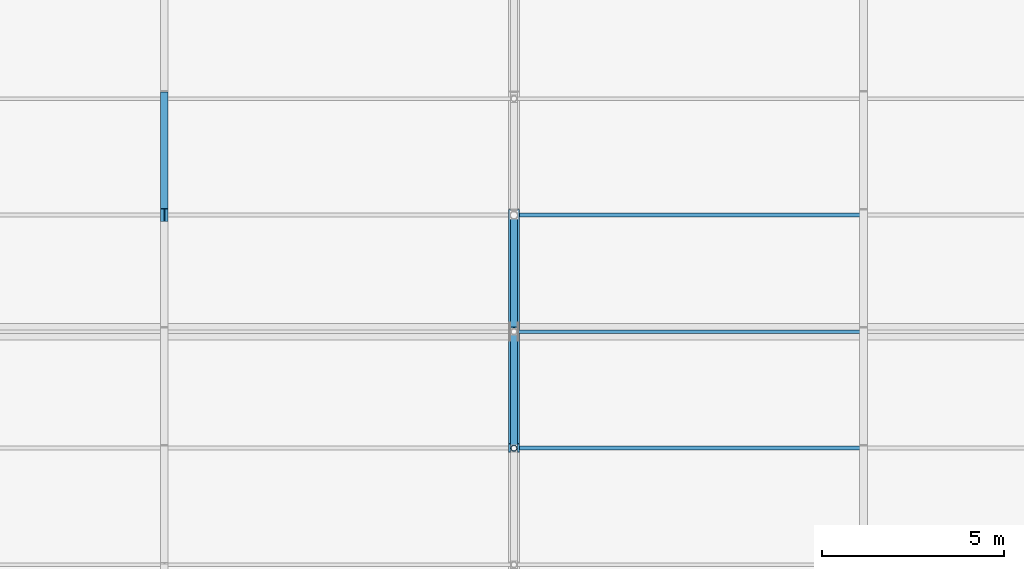
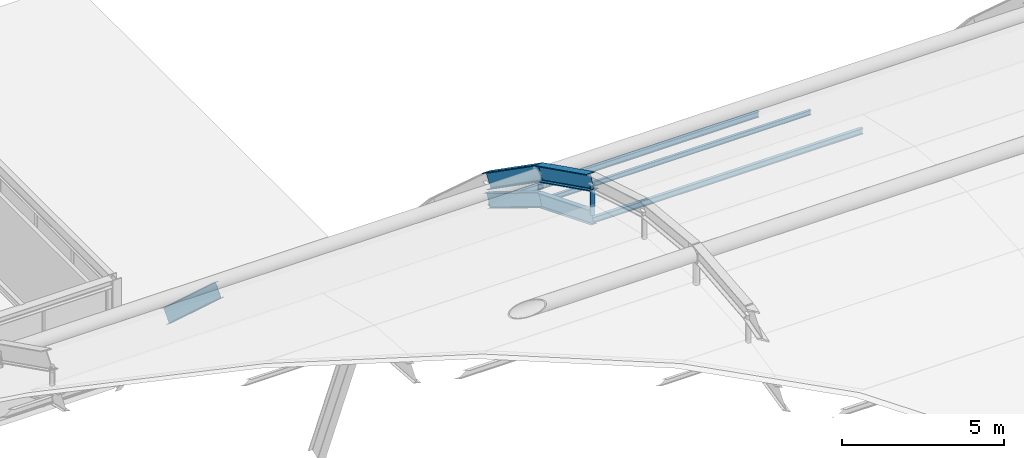
# One storey, part 86 of 126: 5 beams, 4 members.
"""IFC4 building model written with IfcOpenShell, lengths in metres."""

import ifcopenshell
import ifcopenshell.guid

model = None  # the IFC model being written
_history = None  # IfcOwnerHistory: only IFC2X3 demands one
_inside = {}  # id of a spatial element -> (the spatial element, [elements in it])
_under = {}  # id of a project, library or spatial element -> (it, [spatial elements below it])
_declared = {}  # id of a project -> (the project, [libraries it declares])
_typed = {}  # id of a type object -> (the type object, [elements of that type])
_made_of = {}  # id of a material, layer set ... -> (it, [elements and type objects made of it])


def new_model(schema):
    """Start an empty IFC model of exactly this schema.

    Asked for "IFC4X3", IfcOpenShell would pick the latest addendum, in which some entities
    have other attributes; the version numbers below select the first issue.
    IFC2X3 requires an IfcOwnerHistory on every rooted entity: one is made here for all.
    """
    global model, _history
    if schema == "IFC4X3":
        model = ifcopenshell.file(schema_version=(4, 3, 0, 0))
    else:
        model = ifcopenshell.file(schema=schema)
    _inside.clear()
    _under.clear()
    _declared.clear()
    _typed.clear()
    _made_of.clear()
    _history = None
    if model.schema == "IFC2X3":
        org = make("IfcOrganization", Name="unknown")
        user = make(
            "IfcPersonAndOrganization",
            ThePerson=make("IfcPerson", FamilyName="unknown"),
            TheOrganization=org,
        )
        app = make(
            "IfcApplication",
            ApplicationDeveloper=org,
            Version="unknown",
            ApplicationFullName="unknown",
            ApplicationIdentifier="unknown",
        )
        _history = make(
            "IfcOwnerHistory",
            OwningUser=user,
            OwningApplication=app,
            ChangeAction="ADDED",
            CreationDate=0,
        )
    return model


def make(cls, **values):
    """One entity of the class cls with the attributes given. An attribute that is None is left unset."""
    return model.create_entity(
        cls, **{name: value for name, value in values.items() if value is not None}
    )


def rooted(cls, **values):
    """An entity with a GlobalId (a new one), such as an element, a storey or a relation."""
    return make(cls, GlobalId=ifcopenshell.guid.new(), OwnerHistory=_history, **values)


def si_unit(unit_type, name, prefix=None):
    """IfcSIUnit, for example si_unit("LENGTHUNIT", "METRE", prefix="MILLI")."""
    return make("IfcSIUnit", UnitType=unit_type, Prefix=prefix, Name=name)


def assignment(units):
    """IfcUnitAssignment: the units of a project."""
    return None if units is None else make("IfcUnitAssignment", Units=units)


def point(xyz):
    """IfcCartesianPoint."""
    return None if xyz is None else make("IfcCartesianPoint", Coordinates=xyz)


def direction(xyz):
    """IfcDirection."""
    return None if xyz is None else make("IfcDirection", DirectionRatios=xyz)


def frame(location, z_axis=None, x_axis=None):
    """IfcAxis2Placement3D, a coordinate frame: its origin and axes. An axis left out is left unset."""
    return make(
        "IfcAxis2Placement3D",
        Location=point(location),
        Axis=direction(z_axis),
        RefDirection=direction(x_axis),
    )


def frame_2d(location, x_axis=None):
    """IfcAxis2Placement2D, a coordinate frame in the plane: its origin and x axis."""
    return make(
        "IfcAxis2Placement2D", Location=point(location), RefDirection=direction(x_axis)
    )


def origin():
    """The frame at (0, 0, 0) with its axes left unset."""
    return frame((0.0, 0.0, 0.0))


def origin_2d():
    """The frame at (0, 0) in the plane with its x axis left unset."""
    return frame_2d((0.0, 0.0))


def place(relative_to, where):
    """IfcLocalPlacement: puts the frame where relative to a parent placement (None: the world)."""
    return make(
        "IfcLocalPlacement", PlacementRelTo=relative_to, RelativePlacement=where
    )


def context(
    kind, dimensions, precision=None, world=None, true_north=None, identifier=None
):
    """IfcGeometricRepresentationContext, for example the 3D "Model" context."""
    return make(
        "IfcGeometricRepresentationContext",
        ContextIdentifier=identifier,
        ContextType=kind,
        CoordinateSpaceDimension=dimensions,
        Precision=precision,
        WorldCoordinateSystem=world,
        TrueNorth=true_north,
    )


def subcontext(parent, identifier, kind, view, scale=None):
    """IfcGeometricRepresentationSubContext, for example "Body" below "Model"."""
    return make(
        "IfcGeometricRepresentationSubContext",
        ContextIdentifier=identifier,
        ContextType=kind,
        ParentContext=parent,
        TargetScale=scale,
        TargetView=view,
    )


def project(units=None, contexts=None):
    """IfcProject with its units and contexts."""
    return rooted(
        "IfcProject",
        Name="project",
        RepresentationContexts=contexts,
        UnitsInContext=assignment(units),
    )


def spatial(cls, under=None, at=None, **own):
    """A site, building, storey or space (cls), placed at a placement, below another one or the project."""
    s = rooted(cls, ObjectPlacement=at, **own)
    if under is not None:
        _under.setdefault(under.id(), (under, []))[1].append(s)
    return s


def profile(cls, at=None, kind="AREA", **sizes):
    """A parametric profile (cls). Its sizes go by their IFC names, for example OverallWidth=200.0."""
    return make(cls, ProfileType=kind, Position=at, **sizes)


def hollow_circle(**sizes):
    """IfcCircleHollowProfileDef."""
    return profile("IfcCircleHollowProfileDef", **sizes)


def i_section(**sizes):
    """IfcIShapeProfileDef."""
    return profile("IfcIShapeProfileDef", **sizes)


def extrude(swept, where, along, depth):
    """IfcExtrudedAreaSolid: the profile swept, set in the frame where, extruded along a direction by depth."""
    return make(
        "IfcExtrudedAreaSolid",
        SweptArea=swept,
        Position=where,
        ExtrudedDirection=direction(along),
        Depth=depth,
    )


def shape(context_of_items, identifier, shape_type, items):
    """IfcShapeRepresentation: the items that make up one representation, for example the "Body"."""
    return make(
        "IfcShapeRepresentation",
        ContextOfItems=context_of_items,
        RepresentationIdentifier=identifier,
        RepresentationType=shape_type,
        Items=items,
    )


def material(Name=None, Category=None):
    """IfcMaterial."""
    return make("IfcMaterial", Name=Name, Category=Category)


def material_profile(
    of_material, cross_section, Name=None, Category=None, Priority=None
):
    """IfcMaterialProfile: a cross section and its material."""
    return make(
        "IfcMaterialProfile",
        Name=Name,
        Material=of_material,
        Profile=cross_section,
        Priority=Priority,
        Category=Category,
    )


def profile_set(profiles, Name=None, composite=None):
    """IfcMaterialProfileSet."""
    return make(
        "IfcMaterialProfileSet",
        Name=Name,
        MaterialProfiles=profiles,
        CompositeProfile=composite,
    )


def made_of(thing, what):
    """Note that an element or type object is made of a material, layer set ...; save() writes the relation."""
    if what is not None:
        _made_of.setdefault(what.id(), (what, []))[1].append(thing)
    return thing


def type_object(cls, material=None, **own):
    """A type object (cls), such as IfcWallType, which elements share."""
    return made_of(rooted(cls, **own), material)


def element(
    cls,
    number,
    at=None,
    inside=None,
    cuts=None,
    type_object=None,
    material=None,
    context=None,
    identifier="Body",
    shape_type=None,
    held_by="IfcProductDefinitionShape",
    body=None,
    shapes=None,
    **own,
):
    """One element of the class cls, such as IfcWall. Its Tag is "e" and its number.

    at: its placement. inside: the storey or other place that contains it. cuts: it is an
    opening in that element (IfcRelVoidsElement). A single representation is given by context,
    identifier, shape_type and body (its items); several are given by shapes. held_by: the class
    of the entity that holds the representations. save() writes the other relations.
    """
    e = rooted(cls, Tag="e%d" % number, ObjectPlacement=at, **own)
    if body is not None:
        shapes = [shape(context, identifier, shape_type, body)]
    if shapes is not None:
        e.Representation = make(held_by, Representations=shapes)
    if inside is not None:
        _inside.setdefault(inside.id(), (inside, []))[1].append(e)
    if cuts is not None:
        rooted(
            "IfcRelVoidsElement", RelatingBuildingElement=cuts, RelatedOpeningElement=e
        )
    if type_object is not None:
        _typed.setdefault(type_object.id(), (type_object, []))[1].append(e)
    return made_of(e, material)


def aggregate(whole, parts):
    """IfcRelAggregates: a whole, such as a stair, and the parts it consists of."""
    return rooted("IfcRelAggregates", RelatingObject=whole, RelatedObjects=parts)


def save(model, path):
    """Write the relations noted so far, then the file.

    IfcRelAggregates (storeys below a building ...), IfcRelContainedInSpatialStructure (elements
    in a storey), IfcRelDefinesByType, IfcRelAssociatesMaterial and IfcRelDeclares: one each for
    every whole, place, type object, material and project.
    """
    for whole, parts in _under.values():
        aggregate(whole, parts)
    for where, things in _inside.values():
        rooted(
            "IfcRelContainedInSpatialStructure",
            RelatedElements=things,
            RelatingStructure=where,
        )
    for kind, things in _typed.values():
        rooted("IfcRelDefinesByType", RelatedObjects=things, RelatingType=kind)
    for what, things in _made_of.values():
        rooted("IfcRelAssociatesMaterial", RelatedObjects=things, RelatingMaterial=what)
    for by, libraries in _declared.values():
        rooted("IfcRelDeclares", RelatingContext=by, RelatedDefinitions=libraries)
    model.write(path)


model = new_model("IFC4")

# Units and contexts
model_context = context("Model", 3, precision=1e-05, world=origin(), true_north=direction((0.0, 1.0)))
body_context = subcontext(model_context, "Body", "Model", "MODEL_VIEW")
ifc_project = project(units=[si_unit("LENGTHUNIT", "METRE"), si_unit("AREAUNIT", "SQUARE_METRE"), si_unit("VOLUMEUNIT", "CUBIC_METRE"), si_unit("PLANEANGLEUNIT", "RADIAN"), si_unit("MASSUNIT", "GRAM", prefix="KILO")], contexts=[model_context])

# Site, building, storey
site_placement = place(None, origin())
site = spatial("IfcSite", under=ifc_project, at=site_placement, CompositionType="ELEMENT")
building_placement = place(site_placement, origin())
building = spatial("IfcBuilding", under=site, at=building_placement, Name="Coralgate Yard Interchange", CompositionType="ELEMENT")
storey_placement = place(building_placement, frame((0.0, 0.0, 10.5)))
storey = spatial("IfcBuildingStorey", under=building, at=storey_placement, Name="L02", CompositionType="ELEMENT", Elevation=10.5)

# Beams
ifc_material_1 = material(Name="Yellow-ochre weather-coated structural steel S355J2", Category="steel")
ifc_material_profile_1 = material_profile(ifc_material_1, i_section(OverallWidth=0.300048828125, OverallDepth=0.550048828125, WebThickness=0.014892578125, FlangeThickness=0.029052734375, FilletRadius=0.027099609375, at=origin_2d()), Name="HEB 550")
ifc_profile_set_1 = profile_set([ifc_material_profile_1], Name="Yellow-ochre weather-coated structural steel S355J2")
beam_type_1 = type_object("IfcBeamType", Name="BM-AR-2", PredefinedType="BEAM", material=ifc_profile_set_1)
beam_1_placement = place(storey_placement, frame((105.60009765625, 64.0, 11.922119140625), z_axis=(0.0, 0.894740986573, -0.446585453129), x_axis=(-1.0, 0.0, 0.0)))
element("IfcBeam", 1, at=beam_1_placement, inside=storey, type_object=beam_type_1, Name="Yellow-ochre overarching steel arch AR-4 chord 10", PredefinedType="BEAM", context=body_context, shape_type="SweptSolid", body=[
    extrude(i_section(OverallWidth=0.300048828125, OverallDepth=0.550048828125, WebThickness=0.014892578125, FlangeThickness=0.029052734375, FilletRadius=0.027099609375, at=origin_2d()), origin(), (0.0, 0.0, 1.0), 3.576416015625),
])
beam_2_placement = place(storey_placement, frame((105.60009765625, 67.199951171875, 10.324951171875), z_axis=(0.0, 0.819698802508, -0.572794791498), x_axis=(-1.0, 0.0, 0.0)))
element("IfcBeam", 2, at=beam_2_placement, inside=storey, type_object=beam_type_1, Name="Yellow-ochre overarching steel arch AR-4 chord 11", PredefinedType="BEAM", context=body_context, shape_type="SweptSolid", body=[
    extrude(i_section(OverallWidth=0.300048828125, OverallDepth=0.550048828125, WebThickness=0.014892578125, FlangeThickness=0.029052734375, FilletRadius=0.027099609375, at=origin_2d()), origin(), (0.0, 0.0, 1.0), 3.90380859375),
])
ifc_material_2 = material(Name="Weather-coated structural steel S355J2", Category="steel")
ifc_material_profile_2 = material_profile(ifc_material_2, i_section(OverallWidth=0.209228515625, OverallDepth=0.533203125, WebThickness=0.010009765625, FlangeThickness=0.015625, FilletRadius=0.0126953125, at=origin_2d()), Name="UB 533x210x92")
ifc_profile_set_2 = profile_set([ifc_material_profile_2], Name="Weather-coated structural steel S355J2")
beam_type_2 = type_object("IfcBeamType", Name="BM-VR-1", PredefinedType="BEAM", material=ifc_profile_set_2)
beam_3_placement = place(storey_placement, frame((96.0, 70.39990234375, 7.332763671875), z_axis=(0.0, 0.739500841068, -0.673155632867), x_axis=(-1.0, 0.0, 0.0)))
element("IfcBeam", 3, at=beam_3_placement, inside=storey, type_object=beam_type_2, Name="Barrel-vault gridshell rib 7 seg 11", PredefinedType="BEAM", context=body_context, shape_type="SweptSolid", body=[
    extrude(i_section(OverallWidth=0.209228515625, OverallDepth=0.533203125, WebThickness=0.010009765625, FlangeThickness=0.015625, FilletRadius=0.0126953125, at=origin_2d()), origin(), (0.0, 0.0, 1.0), 4.327392578125),
])
ifc_material_profile_3 = material_profile(ifc_material_2, i_section(OverallWidth=0.199951171875, OverallDepth=0.5, WebThickness=0.01025390625, FlangeThickness=0.01611328125, FilletRadius=0.02099609375, at=origin_2d()), Name="IPE 500")
ifc_profile_set_3 = profile_set([ifc_material_profile_3], Name="Weather-coated structural steel S355J2")
beam_type_3 = type_object("IfcBeamType", Name="BM-VR-2", PredefinedType="BEAM", material=ifc_profile_set_3)
beam_4_placement = place(storey_placement, frame((105.60009765625, 64.0, 10.60009765625), z_axis=(0.0, 0.927713244188, -0.373293633161), x_axis=(-1.0, 0.0, 0.0)))
element("IfcBeam", 4, at=beam_4_placement, inside=storey, type_object=beam_type_3, Name="Barrel-vault gridshell rib 8 seg 9", PredefinedType="BEAM", context=body_context, shape_type="SweptSolid", body=[
    extrude(i_section(OverallWidth=0.199951171875, OverallDepth=0.5, WebThickness=0.01025390625, FlangeThickness=0.01611328125, FilletRadius=0.02099609375, at=origin_2d()), origin(), (0.0, 0.0, 1.0), 3.44921875),
])
beam_5_placement = place(storey_placement, frame((105.60009765625, 67.199951171875, 9.3125), z_axis=(0.0, 0.852378727212, -0.522924951973), x_axis=(-1.0, 0.0, 0.0)))
element("IfcBeam", 5, at=beam_5_placement, inside=storey, type_object=beam_type_3, Name="Barrel-vault gridshell rib 8 seg 10", PredefinedType="BEAM", context=body_context, shape_type="SweptSolid", body=[
    extrude(i_section(OverallWidth=0.199951171875, OverallDepth=0.5, WebThickness=0.01025390625, FlangeThickness=0.01611328125, FilletRadius=0.02099609375, at=origin_2d()), origin(), (0.0, 0.0, 1.0), 3.754150390625),
])

# Members
ifc_material_profile_4 = material_profile(ifc_material_1, hollow_circle(Radius=0.084228515625, WallThickness=0.008056640625, at=origin_2d()), Name="CHS 168.3x8")
ifc_profile_set_4 = profile_set([ifc_material_profile_4], Name="Yellow-ochre weather-coated structural steel S355J2")
member_type_1 = type_object("IfcMemberType", Name="MB-HG-2", PredefinedType="STRUT", material=ifc_profile_set_4)
member_1_placement = place(storey_placement, frame((105.60009765625, 64.0, 10.7001953125), z_axis=(0.0, 0.0, 1.0), x_axis=(1.0, 0.0, 0.0)))
element("IfcMember", 6, at=member_1_placement, inside=storey, type_object=member_type_1, Name="Arch AR-4 steel suspension hanger 8", PredefinedType="STRUT", context=body_context, shape_type="SweptSolid", body=[
    extrude(hollow_circle(Radius=0.084228515625, WallThickness=0.008056640625, at=origin_2d()), origin(), (0.0, 0.0, 1.0), 1.1220703125),
])
ifc_material_profile_5 = material_profile(ifc_material_2, i_section(OverallWidth=0.110107421875, OverallDepth=0.219970703125, WebThickness=0.005859375, FlangeThickness=0.00927734375, FilletRadius=0.011962890625, at=origin_2d()), Name="IPE 220")
ifc_profile_set_5 = profile_set([ifc_material_profile_5], Name="Weather-coated structural steel S355J2")
member_type_2 = type_object("IfcMemberType", Name="MB-PR-1", PredefinedType="PURLIN", material=ifc_profile_set_5)
for number, where, z_axis, x_axis, name in (
    (7, (105.60205078125, 64.0, 10.489990234375), (1.0, 0.0, 0.0), (0.0, 1.0, 0.0), "Barrel-vault gridshell purlin 8-9"),
    (8, (105.60205078125, 70.39990234375, 7.2392578125), (1.0, 0.0, 0.0), (0.0, 1.0, 0.0), "Barrel-vault gridshell purlin 8-11"),
):
    element("IfcMember", number, at=place(storey_placement, frame(where, z_axis=z_axis, x_axis=x_axis)), inside=storey, type_object=member_type_2, Name=name, PredefinedType="PURLIN", context=body_context, shape_type="SweptSolid", body=[
        extrude(i_section(OverallWidth=0.110107421875, OverallDepth=0.219970703125, WebThickness=0.005859375, FlangeThickness=0.00927734375, FilletRadius=0.011962890625, at=origin_2d()), origin(), (0.0, 0.0, 1.0), 9.595947265625),
    ])
ifc_material_3 = material(Name="Off-white architectural structural steel S355J2", Category="steel")
ifc_material_profile_6 = material_profile(ifc_material_3, i_section(OverallWidth=0.091064453125, OverallDepth=0.179931640625, WebThickness=0.00537109375, FlangeThickness=0.008056640625, FilletRadius=0.009033203125, at=origin_2d()), Name="IPE 180")
ifc_profile_set_6 = profile_set([ifc_material_profile_6], Name="Off-white architectural structural steel S355J2")
member_type_3 = type_object("IfcMemberType", Name="MB-PR-2", PredefinedType="PURLIN", material=ifc_profile_set_6)
member_2_placement = place(storey_placement, frame((105.60205078125, 67.199951171875, 9.242431640625), z_axis=(1.0, 0.0, 0.0), x_axis=(0.0, 1.0, 0.0)))
element("IfcMember", 9, at=member_2_placement, inside=storey, type_object=member_type_3, Name="Barrel-vault gridshell purlin 8-10", PredefinedType="PURLIN", context=body_context, shape_type="SweptSolid", body=[
    extrude(i_section(OverallWidth=0.091064453125, OverallDepth=0.179931640625, WebThickness=0.00537109375, FlangeThickness=0.008056640625, FilletRadius=0.009033203125, at=origin_2d()), origin(), (0.0, 0.0, 1.0), 9.595947265625),
])

save(model, "model.ifc")
